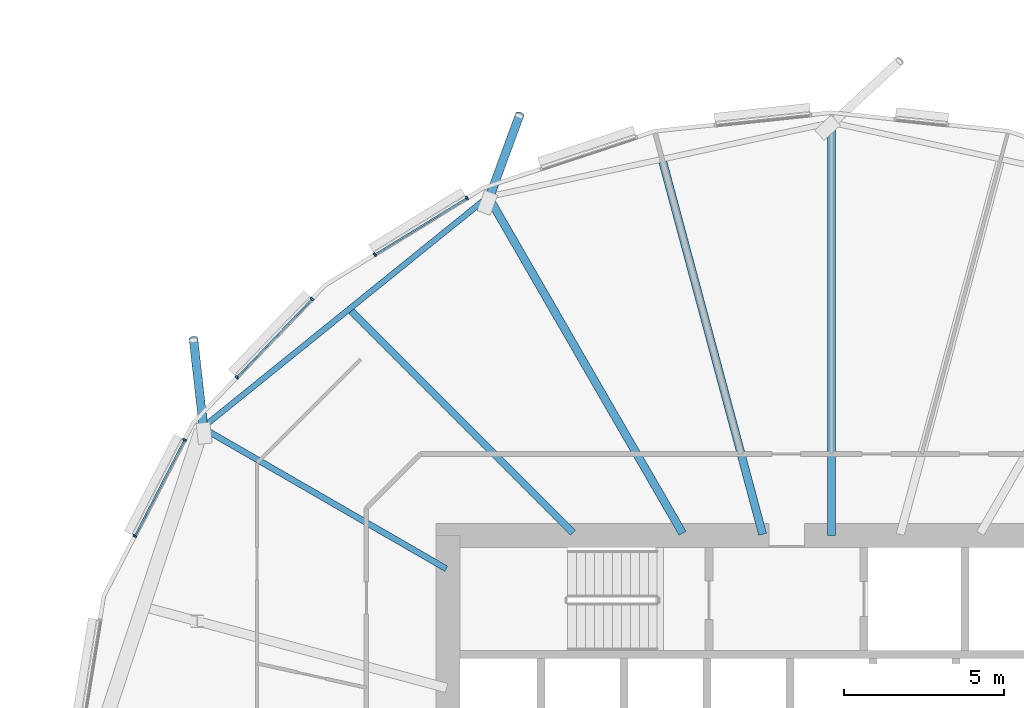
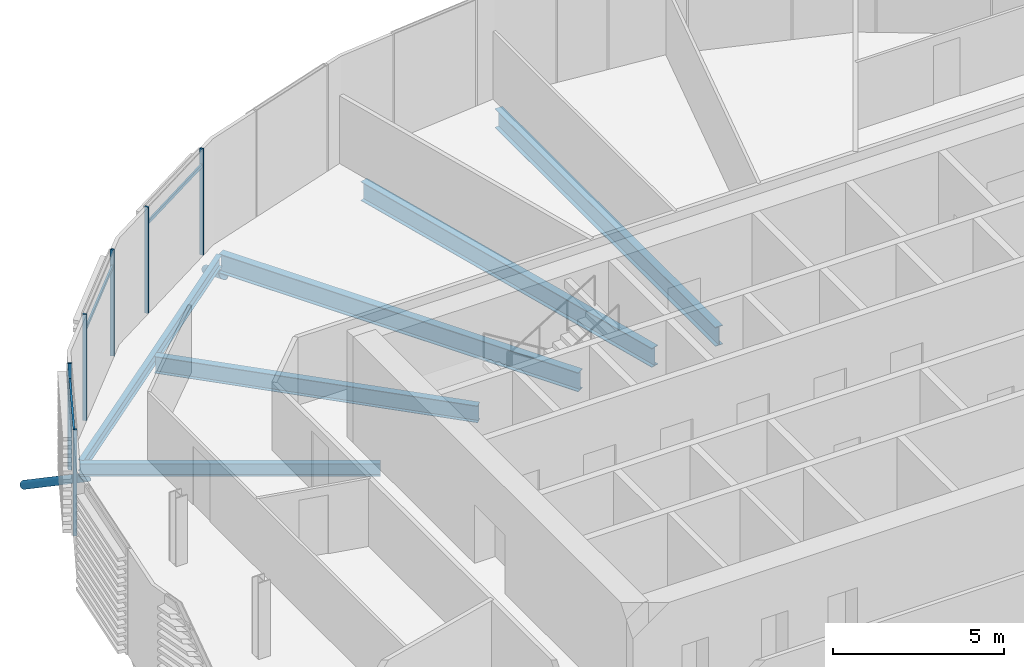
# One storey, part 9 of 42: 11 members, 6 beams, 1 element without a shape of its own.
"""IFC4 building model written with IfcOpenShell, lengths in metres."""

from ifc_helpers import new_model, si_unit, direction, frame, origin, origin_2d, place, context, subcontext, project, spatial, rectangle, hollow_circle, i_section, extrude, clip, halfspace, material, material_profile, profile_set, type_object, element, aggregate, save


model = new_model("IFC4")

# Units and contexts
model_context = context("Model", 3, precision=1e-05, world=origin(), true_north=direction((0.0, 1.0)))
body_context = subcontext(model_context, "Body", "Model", "MODEL_VIEW")
ifc_project = project(units=[si_unit("LENGTHUNIT", "METRE"), si_unit("AREAUNIT", "SQUARE_METRE"), si_unit("VOLUMEUNIT", "CUBIC_METRE"), si_unit("PLANEANGLEUNIT", "RADIAN"), si_unit("MASSUNIT", "GRAM", prefix="KILO")], contexts=[model_context])

# Site, building, storey
site_placement = place(None, origin())
site = spatial("IfcSite", under=ifc_project, at=site_placement, CompositionType="ELEMENT")
building_placement = place(site_placement, origin())
building = spatial("IfcBuilding", under=site, at=building_placement, Name="Rimbun Link Towers", CompositionType="ELEMENT")
storey_placement = place(building_placement, frame((0.0, 0.0, 85.39990234375)))
storey = spatial("IfcBuildingStorey", under=building, at=storey_placement, Name="L20", CompositionType="ELEMENT", Elevation=85.39990234375)

# Curtain wall, members
ifc_material_1 = material(Name="Aluminium 6063-T6 and low-iron glass", Category="aluminium")
curtain_wall_type = type_object("IfcCurtainWallType", Name="CW1-Z2 unitised vision wall (zone 2)", PredefinedType="NOTDEFINED", material=ifc_material_1)
curtain_wall_placement = place(storey_placement, origin())
curtain_wall = element("IfcCurtainWall", 1, at=curtain_wall_placement, inside=storey, type_object=curtain_wall_type, Name="CW1 L20 T1", PredefinedType="NOTDEFINED")
ifc_material_2 = material(Name="Aluminium 6063-T6", Category="aluminium")
ifc_material_profile_1 = material_profile(ifc_material_2, rectangle(XDim=0.1201171875, YDim=0.06005859375, at=origin_2d()), Name="MULLION 60X120")
ifc_profile_set_1 = profile_set([ifc_material_profile_1], Name="Aluminium 6063-T6")
member_type_1 = type_object("IfcMemberType", Name="CW1 mullion 60X120", PredefinedType="MULLION", material=ifc_profile_set_1)
member_1_placement = place(storey_placement, frame((-46.035888671875, 16.781494140625, 0.0), z_axis=(0.0, 0.0, 1.0), x_axis=(-0.523237248968, 0.852187057689, 0.0)))
member_1 = element("IfcMember", 2, at=member_1_placement, type_object=member_type_1, Name="CW1 mullion", PredefinedType="MULLION", context=body_context, shape_type="SweptSolid", body=[
    extrude(rectangle(XDim=0.1201171875, YDim=0.06005859375, at=origin_2d()), origin(), (0.0, 0.0, 1.0), 3.800048828125),
])
member_2_placement = place(storey_placement, frame((-43.154541015625, 18.550537109375, 0.0), z_axis=(0.0, 0.0, 1.0), x_axis=(-0.523237248968, 0.852187057689, 0.0)))
member_2 = element("IfcMember", 3, at=member_2_placement, type_object=member_type_1, Name="CW1 mullion", PredefinedType="MULLION", context=body_context, shape_type="SweptSolid", body=[
    extrude(rectangle(XDim=0.1201171875, YDim=0.06005859375, at=origin_2d()), origin(), (0.0, 0.0, 1.0), 3.800048828125),
])
member_3_placement = place(storey_placement, frame((-50.3505859375, 12.942138671875, 0.0), z_axis=(0.0, 0.0, 1.0), x_axis=(-0.721839179549, 0.692060834658, 0.0)))
member_3 = element("IfcMember", 4, at=member_3_placement, type_object=member_type_1, Name="CW1 mullion", PredefinedType="MULLION", context=body_context, shape_type="SweptSolid", body=[
    extrude(rectangle(XDim=0.1201171875, YDim=0.06005859375, at=origin_2d()), origin(), (0.0, 0.0, 1.0), 3.800048828125),
])
member_4_placement = place(storey_placement, frame((-47.9970703125, 15.39697265625, 0.0), z_axis=(0.0, 0.0, 1.0), x_axis=(-0.721839179549, 0.692060834658, 0.0)))
member_4 = element("IfcMember", 5, at=member_4_placement, type_object=member_type_1, Name="CW1 mullion", PredefinedType="MULLION", context=body_context, shape_type="SweptSolid", body=[
    extrude(rectangle(XDim=0.1201171875, YDim=0.06005859375, at=origin_2d()), origin(), (0.0, 0.0, 1.0), 3.800048828125),
])
member_5_placement = place(storey_placement, frame((-53.543701171875, 7.9765625, 0.0), z_axis=(0.0, 0.0, 1.0), x_axis=(-0.888154791602, 0.459544411514, 0.0)))
member_5 = element("IfcMember", 6, at=member_5_placement, type_object=member_type_1, Name="CW1 mullion", PredefinedType="MULLION", context=body_context, shape_type="SweptSolid", body=[
    extrude(rectangle(XDim=0.1201171875, YDim=0.06005859375, at=origin_2d()), origin(), (0.0, 0.0, 1.0), 3.800048828125),
])
member_6_placement = place(storey_placement, frame((-51.985595703125, 10.98779296875, 0.0), z_axis=(0.0, 0.0, 1.0), x_axis=(-0.888154791602, 0.459544411514, 0.0)))
member_6 = element("IfcMember", 7, at=member_6_placement, type_object=member_type_1, Name="CW1 mullion", PredefinedType="MULLION", context=body_context, shape_type="SweptSolid", body=[
    extrude(rectangle(XDim=0.1201171875, YDim=0.06005859375, at=origin_2d()), origin(), (0.0, 0.0, 1.0), 3.800048828125),
])
ifc_material_3 = material(Name="Aluminium 6063-T6", Category="aluminium")
ifc_material_profile_2 = material_profile(ifc_material_3, rectangle(XDim=0.06005859375, YDim=0.1201171875, at=origin_2d()), Name="TRANSOM 60X120")
ifc_profile_set_2 = profile_set([ifc_material_profile_2], Name="Aluminium 6063-T6")
member_type_2 = type_object("IfcMemberType", Name="CW1 transom 60X120", PredefinedType="USERDEFINED", material=ifc_profile_set_2)
member_7_placement = place(storey_placement, frame((-46.00927734375, 16.79541015625, 3.2001953125), z_axis=(0.852167775137, 0.523268652814, 0.0), x_axis=(-0.523268652814, 0.852167775137, 0.0)))
member_7 = element("IfcMember", 8, at=member_7_placement, type_object=member_type_2, Name="CW1 transom", ObjectType="TRANSOM", PredefinedType="USERDEFINED", context=body_context, shape_type="SweptSolid", body=[
    extrude(rectangle(XDim=0.06005859375, YDim=0.1201171875, at=origin_2d()), origin(), (0.0, 0.0, 1.0), 3.321044921875),
])
member_8_placement = place(storey_placement, frame((-50.328369140625, 12.96240234375, 3.2001953125), z_axis=(0.692078357172, 0.721822379491, 0.0), x_axis=(-0.721822379491, 0.692078357172, 0.0)))
member_8 = element("IfcMember", 9, at=member_8_placement, type_object=member_type_2, Name="CW1 transom", ObjectType="TRANSOM", PredefinedType="USERDEFINED", context=body_context, shape_type="SweptSolid", body=[
    extrude(rectangle(XDim=0.06005859375, YDim=0.1201171875, at=origin_2d()), origin(), (0.0, 0.0, 1.0), 3.340576171875),
])
member_9_placement = place(storey_placement, frame((-53.528076171875, 8.00244140625, 3.2001953125), z_axis=(0.459516653287, 0.888169153569, 0.0), x_axis=(-0.888169153569, 0.459516653287, 0.0)))
member_9 = element("IfcMember", 10, at=member_9_placement, type_object=member_type_2, Name="CW1 transom", ObjectType="TRANSOM", PredefinedType="USERDEFINED", context=body_context, shape_type="SweptSolid", body=[
    extrude(rectangle(XDim=0.06005859375, YDim=0.1201171875, at=origin_2d()), origin(), (0.0, 0.0, 1.0), 3.330078125),
])
aggregate(curtain_wall, [member_1, member_2, member_3, member_4, member_5, member_6, member_7, member_8, member_9])

# Members
ifc_material_4 = material(Name="Steel S355J2H", Category="steel")
ifc_material_profile_3 = material_profile(ifc_material_4, hollow_circle(Radius=0.136474609375, WallThickness=0.012451171875, at=origin_2d()), Name="CHS 273x12.5")
ifc_profile_set_3 = profile_set([ifc_material_profile_3], Name="Steel S355J2H")
member_type_3 = type_object("IfcMemberType", Name="Floor edge link CHS 273x12.5", PredefinedType="BRACE", material=ifc_profile_set_3)
member_10_placement = place(storey_placement, frame((-42.459228515625, 18.549072265625, -0.95947265625), z_axis=(0.292728967003, 0.797121206386, -0.528116970195), x_axis=(-0.938704466181, 0.344722968734, 0.0)))
element("IfcMember", 11, at=member_10_placement, inside=storey, type_object=member_type_3, Name="Floor edge link T1 L20 08", PredefinedType="BRACE", context=body_context, shape_type="Clipping", body=[
    clip(extrude(hollow_circle(Radius=0.136474609375, WallThickness=0.012451171875, at=origin_2d()), frame((0.0, 0.0, -0.4580078125)), (0.0, 0.0, 1.0), 3.740478515625), halfspace(frame((0.0, 0.0, -0.216064453125), z_axis=(0.0, 0.849171635061, -0.528116970195)), False)),
])
member_11_placement = place(storey_placement, frame((-51.390380859375, 11.33935546875, -0.727783203125), z_axis=(-0.093828002495, 0.832669307195, -0.545763804959), x_axis=(-0.993711054176, -0.111974732904, 0.0)))
element("IfcMember", 12, at=member_11_placement, inside=storey, type_object=member_type_3, Name="Floor edge link T1 L20 10", PredefinedType="BRACE", context=body_context, shape_type="Clipping", body=[
    clip(extrude(hollow_circle(Radius=0.136474609375, WallThickness=0.012451171875, at=origin_2d()), frame((0.0, 0.0, -0.4375)), (0.0, 0.0, 1.0), 3.81494140625), halfspace(frame((0.0, 0.0, -0.2060546875), z_axis=(0.0, 0.837939060551, -0.545763804959)), False)),
])

# Beams
ifc_material_5 = material(Name="Steel S355J2", Category="steel")
ifc_material_profile_4 = material_profile(ifc_material_5, i_section(OverallWidth=0.177978515625, OverallDepth=0.406494140625, WebThickness=0.0078125, FlangeThickness=0.0126953125, at=origin_2d()), Name="UB 406x178x60")
ifc_profile_set_4 = profile_set([ifc_material_profile_4], Name="Steel S355J2")
beam_type_1 = type_object("IfcBeamType", Name="UB 406x178x60", PredefinedType="BEAM", material=ifc_profile_set_4)
beam_1_placement = place(storey_placement, frame((-42.5849609375, 18.510986328125, -0.363037109375), z_axis=(-0.777961133356, -0.628312402383, 0.0), x_axis=(0.628312402383, -0.777961133356, 0.0)))
element("IfcBeam", 13, at=beam_1_placement, inside=storey, type_object=beam_type_1, Name="Edge beam T1 L20 08-10", PredefinedType="BEAM", context=body_context, shape_type="SweptSolid", body=[
    extrude(i_section(OverallWidth=0.177978515625, OverallDepth=0.406494140625, WebThickness=0.0078125, FlangeThickness=0.0126953125, at=origin_2d()), origin(), (0.0, 0.0, 1.0), 11.271484375),
])
ifc_material_6 = material(Name="Steel S355J2", Category="steel")
ifc_material_profile_5 = material_profile(ifc_material_6, i_section(OverallWidth=0.18994140625, OverallDepth=0.453369140625, WebThickness=0.008544921875, FlangeThickness=0.0126953125, at=origin_2d()), Name="UB 457x191x67")
ifc_profile_set_5 = profile_set([ifc_material_profile_5], Name="Steel S355J2")
beam_type_2 = type_object("IfcBeamType", Name="UB 457x191x67", PredefinedType="BEAM", material=ifc_profile_set_5)
beam_2_placement = place(storey_placement, frame((-43.79833984375, 6.9560546875, -0.38671875), z_axis=(-0.866014040261, 0.500019681684, 0.0), x_axis=(-0.500019681684, -0.866014040261, 0.0)))
element("IfcBeam", 14, at=beam_2_placement, inside=storey, type_object=beam_type_2, Name="Radial beam T1 L20 10", PredefinedType="BEAM", context=body_context, shape_type="SweptSolid", body=[
    extrude(i_section(OverallWidth=0.18994140625, OverallDepth=0.453369140625, WebThickness=0.008544921875, FlangeThickness=0.0126953125, at=origin_2d()), origin(), (0.0, 0.0, 1.0), 8.816650390625),
])
ifc_material_7 = material(Name="Steel S355J2", Category="steel")
ifc_material_profile_6 = material_profile(ifc_material_7, i_section(OverallWidth=0.2275390625, OverallDepth=0.6025390625, WebThickness=0.010498046875, FlangeThickness=0.014892578125, at=origin_2d()), Name="UB 610x229x101")
ifc_profile_set_6 = profile_set([ifc_material_profile_6], Name="Steel S355J2")
beam_type_3 = type_object("IfcBeamType", Name="UB 610x229x101", PredefinedType="BEAM", material=ifc_profile_set_6)
beam_3_placement = place(storey_placement, frame((-39.831298828125, 8.081298828125, -0.461181640625), z_axis=(-0.707106781187, 0.707106781187, 0.0), x_axis=(-0.707106781187, -0.707106781187, 0.0)))
element("IfcBeam", 15, at=beam_3_placement, inside=storey, type_object=beam_type_3, Name="Radial beam T1 L20 09", PredefinedType="BEAM", context=body_context, shape_type="SweptSolid", body=[
    extrude(i_section(OverallWidth=0.2275390625, OverallDepth=0.6025390625, WebThickness=0.010498046875, FlangeThickness=0.014892578125, at=origin_2d()), origin(), (0.0, 0.0, 1.0), 9.809326171875),
])
ifc_material_8 = material(Name="Steel S355J2", Category="steel")
ifc_material_profile_7 = material_profile(ifc_material_8, i_section(OverallWidth=0.253662109375, OverallDepth=0.68359375, WebThickness=0.012451171875, FlangeThickness=0.01904296875, at=origin_2d()), Name="UB 686x254x140")
ifc_profile_set_7 = profile_set([ifc_material_profile_7], Name="Steel S355J2")
beam_type_4 = type_object("IfcBeamType", Name="UB 686x254x140", PredefinedType="BEAM", material=ifc_profile_set_7)
beam_4_placement = place(storey_placement, frame((-31.75, 8.0009765625, -0.501708984375), z_axis=(0.0, 1.0, 0.0), x_axis=(-1.0, 0.0, 0.0)))
element("IfcBeam", 16, at=beam_4_placement, inside=storey, type_object=beam_type_4, Name="Radial beam T1 L20 06", PredefinedType="BEAM", context=body_context, shape_type="SweptSolid", body=[
    extrude(i_section(OverallWidth=0.253662109375, OverallDepth=0.68359375, WebThickness=0.012451171875, FlangeThickness=0.01904296875, at=origin_2d()), origin(), (0.0, 0.0, 1.0), 12.91357421875),
])
beam_5_placement = place(storey_placement, frame((-33.902587890625, 8.03369140625, -0.501708984375), z_axis=(-0.258821765746, 0.965925097291, 0.0), x_axis=(-0.965925097291, -0.258821765746, 0.0)))
element("IfcBeam", 17, at=beam_5_placement, inside=storey, type_object=beam_type_4, Name="Radial beam T1 L20 07", PredefinedType="BEAM", context=body_context, shape_type="SweptSolid", body=[
    extrude(i_section(OverallWidth=0.253662109375, OverallDepth=0.68359375, WebThickness=0.012451171875, FlangeThickness=0.01904296875, at=origin_2d()), origin(), (0.0, 0.0, 1.0), 12.058837890625),
])
beam_6_placement = place(storey_placement, frame((-36.406005859375, 8.064208984375, -0.501708984375), z_axis=(-0.499998860433, 0.866026061713, 0.0), x_axis=(-0.866026061713, -0.499998860433, 0.0)))
element("IfcBeam", 18, at=beam_6_placement, inside=storey, type_object=beam_type_4, Name="Radial beam T1 L20 08", PredefinedType="BEAM", context=body_context, shape_type="SweptSolid", body=[
    extrude(i_section(OverallWidth=0.253662109375, OverallDepth=0.68359375, WebThickness=0.012451171875, FlangeThickness=0.01904296875, at=origin_2d()), origin(), (0.0, 0.0, 1.0), 12.15673828125),
])

save(model, "model.ifc")
